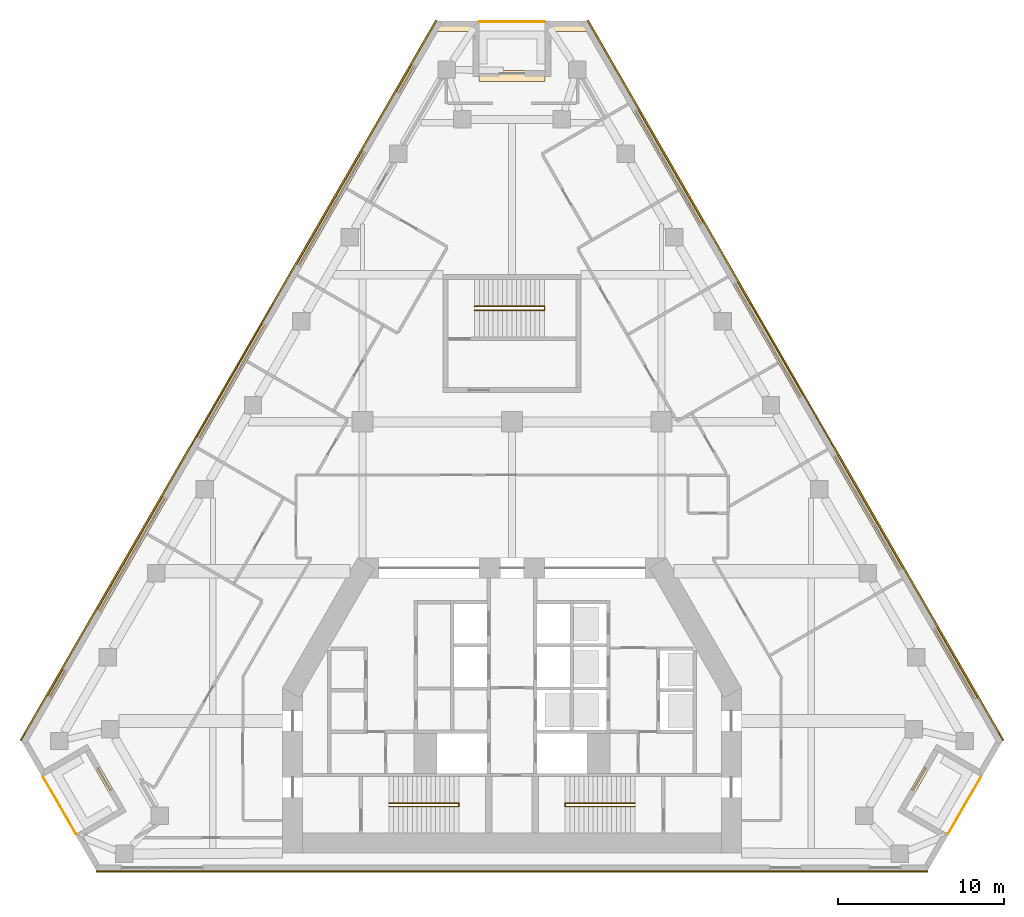
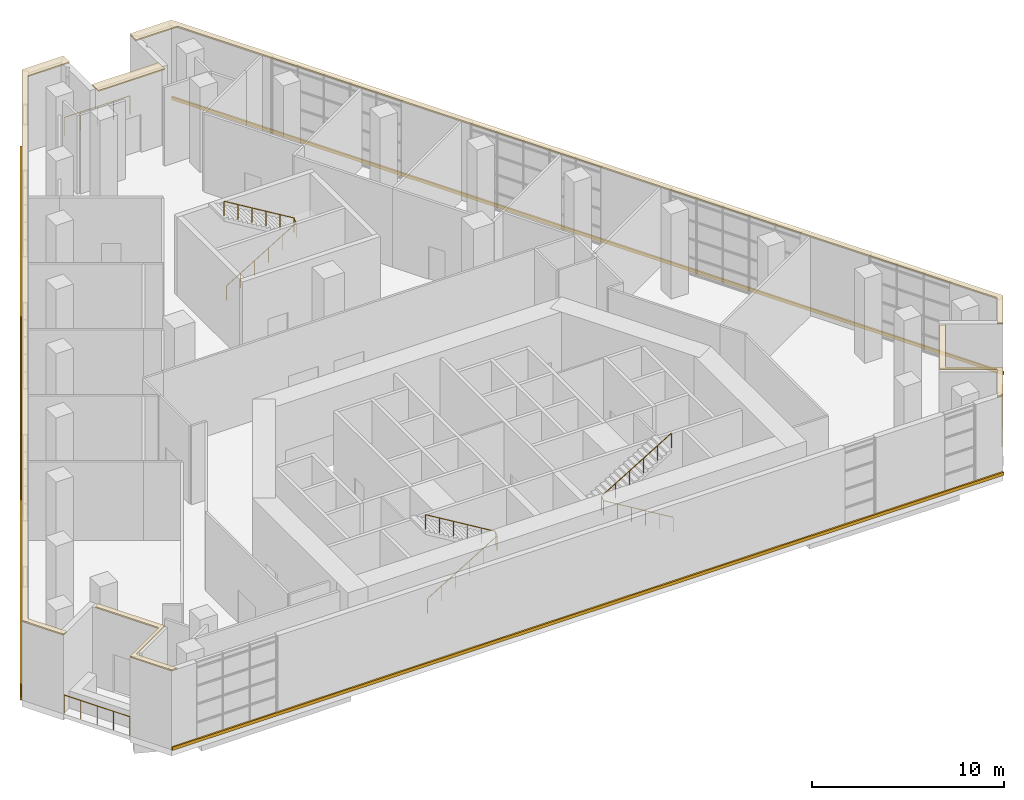
# One storey, part 17 of 18: 8 coverings, 6 railings.
"""IFC4 building model written with IfcOpenShell, lengths in metres."""

from ifc_helpers import new_model, si_unit, direction, frame, origin, origin_2d, place, context, subcontext, project, spatial, polyline, circle, outline, extrude, material, layer, layer_set, type_object, element, save


model = new_model("IFC4")

# Units and contexts
model_context = context("Model", 3, precision=1e-05, world=origin(), true_north=direction((0.0, 1.0)))
body_context = subcontext(model_context, "Body", "Model", "MODEL_VIEW")
ifc_project = project(units=[si_unit("LENGTHUNIT", "METRE"), si_unit("AREAUNIT", "SQUARE_METRE"), si_unit("VOLUMEUNIT", "CUBIC_METRE"), si_unit("PLANEANGLEUNIT", "RADIAN"), si_unit("MASSUNIT", "GRAM", prefix="KILO")], contexts=[model_context])

# Site, building, storey
site_placement = place(None, origin())
site = spatial("IfcSite", under=ifc_project, at=site_placement, CompositionType="ELEMENT")
building_placement = place(site_placement, origin())
building = spatial("IfcBuilding", under=site, at=building_placement, Name="Fogline Exchange Tower", CompositionType="ELEMENT")
storey_placement = place(building_placement, frame((0.0, 0.0, 137.5)))
storey = spatial("IfcBuildingStorey", under=building, at=storey_placement, Name="L30", CompositionType="ELEMENT", Elevation=137.5)

# Coverings
ifc_material_1 = material(Name="Granite", Category="masonry")
ifc_layer = layer(ifc_material_1, 0.080078125)
ifc_layer_set = layer_set([ifc_layer], Name="CP1")
covering_type_1 = type_object("IfcCoveringType", Name="CP1", PredefinedType="USERDEFINED", material=ifc_layer_set)
covering_1_placement = place(storey_placement, frame((0.0, 0.0, 5.0)))
element("IfcCovering", 1, at=covering_1_placement, inside=storey, type_object=covering_type_1, Name="Ledge coping L30", ObjectType="COPING", PredefinedType="USERDEFINED", context=body_context, shape_type="SweptSolid", body=[
    extrude(outline(polyline([(-28.27099609375, 5.629150390625), (-27.99169921875, 5.790283203125), (-29.1484375, 7.794189453125), (-4.5, 50.48681640625), (-2.0, 50.48681640625), (-2.0, 51.131591796875), (-4.5, 51.131591796875), (-29.52099609375, 7.794189453125), (-28.27099609375, 5.629150390625)])), origin(), (0.0, 0.0, 1.0), 0.080078125),
])
covering_2_placement = place(storey_placement, frame((0.0, 0.0, 5.0)))
element("IfcCovering", 2, at=covering_2_placement, inside=storey, type_object=covering_type_1, Name="Ledge coping L30", ObjectType="COPING", PredefinedType="USERDEFINED", context=body_context, shape_type="SweptSolid", body=[
    extrude(outline(polyline([(-25.02099609375, 0.0), (-24.6484375, 0.0), (-25.8984375, 2.1650390625), (-23.30029296875, 3.6650390625), (-25.30029296875, 7.129150390625), (-25.57958984375, 6.968017578125), (-23.6728515625, 3.6650390625), (-26.27099609375, 2.1650390625), (-25.02099609375, 0.0)])), origin(), (0.0, 0.0, 1.0), 0.080078125),
])
covering_3_placement = place(storey_placement, frame((0.0, 0.0, 5.0)))
element("IfcCovering", 3, at=covering_3_placement, inside=storey, type_object=covering_type_1, Name="Ledge coping L30", ObjectType="COPING", PredefinedType="USERDEFINED", context=body_context, shape_type="SweptSolid", body=[
    extrude(outline(polyline([(23.6728515625, 3.6650390625), (25.57958984375, 6.968017578125), (25.30029296875, 7.129150390625), (23.30029296875, 3.6650390625), (25.8984375, 2.1650390625), (24.6484375, 0.0), (25.02099609375, 0.0), (26.27099609375, 2.1650390625), (23.6728515625, 3.6650390625)])), origin(), (0.0, 0.0, 1.0), 0.080078125),
])
covering_4_placement = place(storey_placement, frame((0.0, 0.0, 5.0)))
element("IfcCovering", 4, at=covering_4_placement, inside=storey, type_object=covering_type_1, Name="Ledge coping L30", ObjectType="COPING", PredefinedType="USERDEFINED", context=body_context, shape_type="SweptSolid", body=[
    extrude(outline(polyline([(2.0, 51.131591796875), (2.0, 50.48681640625), (4.5, 50.48681640625), (29.1484375, 7.794189453125), (27.99169921875, 5.790283203125), (28.27099609375, 5.629150390625), (29.52099609375, 7.794189453125), (4.5, 51.131591796875), (2.0, 51.131591796875)])), origin(), (0.0, 0.0, 1.0), 0.080078125),
])
covering_5_placement = place(storey_placement, frame((0.0, 0.0, 5.0)))
element("IfcCovering", 5, at=covering_5_placement, inside=storey, type_object=covering_type_1, Name="Ledge coping L30", ObjectType="COPING", PredefinedType="USERDEFINED", context=body_context, shape_type="SweptSolid", body=[
    extrude(outline(polyline([(2.0, 48.131591796875), (-2.0, 48.131591796875), (-2.0, 47.48681640625), (2.0, 47.48681640625), (2.0, 48.131591796875)])), origin(), (0.0, 0.0, 1.0), 0.080078125),
])

# Railings
ifc_material_2 = material(Name="Stainless steel 304", Category="steel")
railing_type_1 = type_object("IfcRailingType", Name="G1", PredefinedType="GUARDRAIL", material=ifc_material_2)
railing_1_placement = place(storey_placement, frame((-28.217041015625, 5.635986328125, 0.0)))
element("IfcRailing", 6, at=railing_1_placement, inside=storey, type_object=railing_type_1, Name="Balcony guard L30 SW", PredefinedType="GUARDRAIL", context=body_context, shape_type="SweptSolid", body=[
    extrude(circle(Radius=0.02392578125, at=origin_2d()), frame((0.0, 0.0, 1.17578125), z_axis=(0.500000102728, -0.866025344474, 0.0), x_axis=(0.866025344474, 0.500000102728, 0.0)), (0.0, 0.0, 1.0), 3.9580078125),
    extrude(circle(Radius=0.02099609375, at=origin_2d()), origin(), (0.0, 0.0, 1.0), 1.15185546875),
    extrude(circle(Radius=0.02099609375, at=origin_2d()), frame((0.49462890625, -0.85693359375, 0.0)), (0.0, 0.0, 1.0), 1.15185546875),
    extrude(circle(Radius=0.02099609375, at=origin_2d()), frame((0.989501953125, -1.7138671875, 0.0)), (0.0, 0.0, 1.0), 1.15185546875),
    extrude(circle(Radius=0.02099609375, at=origin_2d()), frame((1.484375, -2.57080078125, 0.0)), (0.0, 0.0, 1.0), 1.15185546875),
    extrude(circle(Radius=0.02099609375, at=origin_2d()), frame((1.97900390625, -3.427734375, 0.0)), (0.0, 0.0, 1.0), 1.15185546875),
])
railing_2_placement = place(storey_placement, frame((26.238037109375, 2.208251953125, 0.0)))
element("IfcRailing", 7, at=railing_2_placement, inside=storey, type_object=railing_type_1, Name="Balcony guard L30 SE", PredefinedType="GUARDRAIL", context=body_context, shape_type="SweptSolid", body=[
    extrude(circle(Radius=0.02392578125, at=origin_2d()), frame((0.0, 0.0, 1.17578125), z_axis=(0.500000102728, 0.866025344474, 0.0), x_axis=(-0.866025344474, 0.500000102728, 0.0)), (0.0, 0.0, 1.0), 3.9580078125),
    extrude(circle(Radius=0.02099609375, at=origin_2d()), origin(), (0.0, 0.0, 1.0), 1.15185546875),
    extrude(circle(Radius=0.02099609375, at=origin_2d()), frame((0.49462890625, 0.85693359375, 0.0)), (0.0, 0.0, 1.0), 1.15185546875),
    extrude(circle(Radius=0.02099609375, at=origin_2d()), frame((0.989501953125, 1.7138671875, 0.0)), (0.0, 0.0, 1.0), 1.15185546875),
    extrude(circle(Radius=0.02099609375, at=origin_2d()), frame((1.484375, 2.57080078125, 0.0)), (0.0, 0.0, 1.0), 1.15185546875),
    extrude(circle(Radius=0.02099609375, at=origin_2d()), frame((1.97900390625, 3.427734375, 0.0)), (0.0, 0.0, 1.0), 1.15185546875),
])
railing_3_placement = place(storey_placement, frame((1.97900390625, 51.081787109375, 0.0)))
element("IfcRailing", 8, at=railing_3_placement, inside=storey, type_object=railing_type_1, Name="Balcony guard L30 N", PredefinedType="GUARDRAIL", context=body_context, shape_type="SweptSolid", body=[
    extrude(circle(Radius=0.02392578125, at=origin_2d()), frame((0.0, 0.0, 1.17578125), z_axis=(-1.0, 0.0, 0.0), x_axis=(0.0, -1.0, 0.0)), (0.0, 0.0, 1.0), 3.9580078125),
    extrude(circle(Radius=0.02099609375, at=origin_2d()), origin(), (0.0, 0.0, 1.0), 1.15185546875),
    extrude(circle(Radius=0.02099609375, at=origin_2d()), frame((-0.989501953125, 0.0, 0.0)), (0.0, 0.0, 1.0), 1.15185546875),
    extrude(circle(Radius=0.02099609375, at=origin_2d()), frame((-1.97900390625, 0.0, 0.0)), (0.0, 0.0, 1.0), 1.15185546875),
    extrude(circle(Radius=0.02099609375, at=origin_2d()), frame((-2.968505859375, 0.0, 0.0)), (0.0, 0.0, 1.0), 1.15185546875),
    extrude(circle(Radius=0.02099609375, at=origin_2d()), frame((-3.9580078125, 0.0, 0.0)), (0.0, 0.0, 1.0), 1.15185546875),
])
ifc_material_3 = material(Name="Steel Q235B", Category="steel")
railing_type_2 = type_object("IfcRailingType", Name="RL-HR", PredefinedType="HANDRAIL", material=ifc_material_3)
railing_4_placement = place(storey_placement, frame((-7.39990234375, 3.85009765625, 0.168701171875)))
element("IfcRailing", 9, at=railing_4_placement, inside=storey, type_object=railing_type_2, Name="Handrail ST1", PredefinedType="HANDRAIL", context=body_context, shape_type="SweptSolid", body=[
    extrude(circle(Radius=0.02392578125, at=origin_2d()), frame((0.0, 0.0, 0.92578125), z_axis=(0.856476492594, 0.0, 0.516186030065), x_axis=(0.0, 1.0, 0.0)), (0.0, 0.0, 1.0), 4.90380859375),
    extrude(circle(Radius=0.02392578125, at=origin_2d()), frame((4.199951171875, 0.0, 3.45703125), z_axis=(0.0, 0.764305856904, 0.644853903688), x_axis=(-1.0, 0.0, 0.0)), (0.0, 0.0, 1.0), 0.26171875),
    extrude(circle(Radius=0.02392578125, at=origin_2d()), frame((4.199951171875, 0.199951171875, 3.6259765625), z_axis=(-0.856476492594, 0.0, 0.516186030065), x_axis=(0.0, -1.0, 0.0)), (0.0, 0.0, 1.0), 4.90380859375),
    extrude(circle(Radius=0.02099609375, at=origin_2d()), origin(), (0.0, 0.0, 1.0), 0.90185546875),
    extrude(circle(Radius=0.02099609375, at=origin_2d()), frame((0.840087890625, 0.0, 0.50634765625)), (0.0, 0.0, 1.0), 0.90185546875),
    extrude(circle(Radius=0.02099609375, at=origin_2d()), frame((1.679931640625, 0.0, 1.012451171875)), (0.0, 0.0, 1.0), 0.90185546875),
    extrude(circle(Radius=0.02099609375, at=origin_2d()), frame((2.52001953125, 0.0, 1.518798828125)), (0.0, 0.0, 1.0), 0.90185546875),
    extrude(circle(Radius=0.02099609375, at=origin_2d()), frame((3.35986328125, 0.0, 2.02490234375)), (0.0, 0.0, 1.0), 0.90185546875),
    extrude(circle(Radius=0.02099609375, at=origin_2d()), frame((4.199951171875, 0.0, 2.53125)), (0.0, 0.0, 1.0), 0.90185546875),
    extrude(circle(Radius=0.02099609375, at=origin_2d()), frame((4.199951171875, 0.199951171875, 2.699951171875)), (0.0, 0.0, 1.0), 0.90185546875),
    extrude(circle(Radius=0.02099609375, at=origin_2d()), frame((3.35986328125, 0.199951171875, 3.206298828125)), (0.0, 0.0, 1.0), 0.90185546875),
    extrude(circle(Radius=0.02099609375, at=origin_2d()), frame((2.52001953125, 0.199951171875, 3.71240234375)), (0.0, 0.0, 1.0), 0.90185546875),
    extrude(circle(Radius=0.02099609375, at=origin_2d()), frame((1.679931640625, 0.199951171875, 4.21875)), (0.0, 0.0, 1.0), 0.90185546875),
    extrude(circle(Radius=0.02099609375, at=origin_2d()), frame((0.840087890625, 0.199951171875, 4.724853515625)), (0.0, 0.0, 1.0), 0.90185546875),
    extrude(circle(Radius=0.02099609375, at=origin_2d()), frame((0.0, 0.199951171875, 5.231201171875)), (0.0, 0.0, 1.0), 0.90185546875),
])
railing_5_placement = place(storey_placement, frame((7.39990234375, 3.85009765625, 0.168701171875)))
element("IfcRailing", 10, at=railing_5_placement, inside=storey, type_object=railing_type_2, Name="Handrail ST2", PredefinedType="HANDRAIL", context=body_context, shape_type="SweptSolid", body=[
    extrude(circle(Radius=0.02392578125, at=origin_2d()), frame((0.0, 0.0, 0.92578125), z_axis=(-0.856476492594, 0.0, 0.516186030065), x_axis=(0.0, -1.0, 0.0)), (0.0, 0.0, 1.0), 4.90380859375),
    extrude(circle(Radius=0.02392578125, at=origin_2d()), frame((-4.199951171875, 0.0, 3.45703125), z_axis=(0.0, 0.764305856904, 0.644853903688), x_axis=(-1.0, 0.0, 0.0)), (0.0, 0.0, 1.0), 0.26171875),
    extrude(circle(Radius=0.02392578125, at=origin_2d()), frame((-4.199951171875, 0.199951171875, 3.6259765625), z_axis=(0.856476492594, 0.0, 0.516186030065), x_axis=(0.0, 1.0, 0.0)), (0.0, 0.0, 1.0), 4.90380859375),
    extrude(circle(Radius=0.02099609375, at=origin_2d()), origin(), (0.0, 0.0, 1.0), 0.90185546875),
    extrude(circle(Radius=0.02099609375, at=origin_2d()), frame((-0.840087890625, 0.0, 0.50634765625)), (0.0, 0.0, 1.0), 0.90185546875),
    extrude(circle(Radius=0.02099609375, at=origin_2d()), frame((-1.679931640625, 0.0, 1.012451171875)), (0.0, 0.0, 1.0), 0.90185546875),
    extrude(circle(Radius=0.02099609375, at=origin_2d()), frame((-2.52001953125, 0.0, 1.518798828125)), (0.0, 0.0, 1.0), 0.90185546875),
    extrude(circle(Radius=0.02099609375, at=origin_2d()), frame((-3.35986328125, 0.0, 2.02490234375)), (0.0, 0.0, 1.0), 0.90185546875),
    extrude(circle(Radius=0.02099609375, at=origin_2d()), frame((-4.199951171875, 0.0, 2.53125)), (0.0, 0.0, 1.0), 0.90185546875),
    extrude(circle(Radius=0.02099609375, at=origin_2d()), frame((-4.199951171875, 0.199951171875, 2.699951171875)), (0.0, 0.0, 1.0), 0.90185546875),
    extrude(circle(Radius=0.02099609375, at=origin_2d()), frame((-3.35986328125, 0.199951171875, 3.206298828125)), (0.0, 0.0, 1.0), 0.90185546875),
    extrude(circle(Radius=0.02099609375, at=origin_2d()), frame((-2.52001953125, 0.199951171875, 3.71240234375)), (0.0, 0.0, 1.0), 0.90185546875),
    extrude(circle(Radius=0.02099609375, at=origin_2d()), frame((-1.679931640625, 0.199951171875, 4.21875)), (0.0, 0.0, 1.0), 0.90185546875),
    extrude(circle(Radius=0.02099609375, at=origin_2d()), frame((-0.840087890625, 0.199951171875, 4.724853515625)), (0.0, 0.0, 1.0), 0.90185546875),
    extrude(circle(Radius=0.02099609375, at=origin_2d()), frame((0.0, 0.199951171875, 5.231201171875)), (0.0, 0.0, 1.0), 0.90185546875),
])
railing_6_placement = place(storey_placement, frame((-2.25, 33.70703125, 0.168701171875)))
element("IfcRailing", 11, at=railing_6_placement, inside=storey, type_object=railing_type_2, Name="Handrail ST3", PredefinedType="HANDRAIL", context=body_context, shape_type="SweptSolid", body=[
    extrude(circle(Radius=0.02392578125, at=origin_2d()), frame((0.0, 0.0, 0.92578125), z_axis=(0.856476492594, 0.0, 0.516186030065), x_axis=(0.0, 1.0, 0.0)), (0.0, 0.0, 1.0), 4.90380859375),
    extrude(circle(Radius=0.02392578125, at=origin_2d()), frame((4.199951171875, 0.0, 3.45703125), z_axis=(0.0, 0.828923742226, 0.559361626834), x_axis=(-1.0, 0.0, 0.0)), (0.0, 0.0, 1.0), 0.301513671875),
    extrude(circle(Radius=0.02392578125, at=origin_2d()), frame((4.199951171875, 0.25, 3.6259765625), z_axis=(-0.856476492594, 0.0, 0.516186030065), x_axis=(0.0, -1.0, 0.0)), (0.0, 0.0, 1.0), 4.90380859375),
    extrude(circle(Radius=0.02099609375, at=origin_2d()), origin(), (0.0, 0.0, 1.0), 0.90185546875),
    extrude(circle(Radius=0.02099609375, at=origin_2d()), frame((0.840087890625, 0.0, 0.50634765625)), (0.0, 0.0, 1.0), 0.90185546875),
    extrude(circle(Radius=0.02099609375, at=origin_2d()), frame((1.679931640625, 0.0, 1.012451171875)), (0.0, 0.0, 1.0), 0.90185546875),
    extrude(circle(Radius=0.02099609375, at=origin_2d()), frame((2.52001953125, 0.0, 1.518798828125)), (0.0, 0.0, 1.0), 0.90185546875),
    extrude(circle(Radius=0.02099609375, at=origin_2d()), frame((3.35986328125, 0.0, 2.02490234375)), (0.0, 0.0, 1.0), 0.90185546875),
    extrude(circle(Radius=0.02099609375, at=origin_2d()), frame((4.199951171875, 0.0, 2.53125)), (0.0, 0.0, 1.0), 0.90185546875),
    extrude(circle(Radius=0.02099609375, at=origin_2d()), frame((4.199951171875, 0.25, 2.699951171875)), (0.0, 0.0, 1.0), 0.90185546875),
    extrude(circle(Radius=0.02099609375, at=origin_2d()), frame((3.35986328125, 0.25, 3.206298828125)), (0.0, 0.0, 1.0), 0.90185546875),
    extrude(circle(Radius=0.02099609375, at=origin_2d()), frame((2.52001953125, 0.25, 3.71240234375)), (0.0, 0.0, 1.0), 0.90185546875),
    extrude(circle(Radius=0.02099609375, at=origin_2d()), frame((1.679931640625, 0.25, 4.21875)), (0.0, 0.0, 1.0), 0.90185546875),
    extrude(circle(Radius=0.02099609375, at=origin_2d()), frame((0.840087890625, 0.25, 4.724853515625)), (0.0, 0.0, 1.0), 0.90185546875),
    extrude(circle(Radius=0.02099609375, at=origin_2d()), frame((0.0, 0.25, 5.231201171875)), (0.0, 0.0, 1.0), 0.90185546875),
])

# Coverings
ifc_material_4 = material(Name="Brick masonry", Category="masonry")
covering_type_2 = type_object("IfcCoveringType", Name="SB1", PredefinedType="CLADDING", material=ifc_material_4)
covering_6_placement = place(storey_placement, origin())
element("IfcCovering", 12, at=covering_6_placement, inside=storey, type_object=covering_type_2, Name="Stringcourse band L30 S", PredefinedType="CLADDING", context=body_context, shape_type="SweptSolid", body=[
    extrude(outline(polyline([(-25.02099609375, 0.0), (-25.02099609375, -0.10009765625), (25.02099609375, -0.10009765625), (25.02099609375, 0.0), (-25.02099609375, 0.0)])), origin(), (0.0, 0.0, 1.0), 0.199951171875),
])
covering_7_placement = place(storey_placement, origin())
element("IfcCovering", 13, at=covering_7_placement, inside=storey, type_object=covering_type_2, Name="Stringcourse band L30 E", PredefinedType="CLADDING", context=body_context, shape_type="SweptSolid", body=[
    extrude(outline(polyline([(29.52099609375, 7.794189453125), (29.607421875, 7.84423828125), (4.586669921875, 51.181640625), (4.5, 51.131591796875), (29.52099609375, 7.794189453125)])), origin(), (0.0, 0.0, 1.0), 0.199951171875),
])
covering_8_placement = place(storey_placement, origin())
element("IfcCovering", 14, at=covering_8_placement, inside=storey, type_object=covering_type_2, Name="Stringcourse band L30 W", PredefinedType="CLADDING", context=body_context, shape_type="SweptSolid", body=[
    extrude(outline(polyline([(-4.5, 51.131591796875), (-4.586669921875, 51.181640625), (-29.607421875, 7.84423828125), (-29.52099609375, 7.794189453125), (-4.5, 51.131591796875)])), origin(), (0.0, 0.0, 1.0), 0.199951171875),
])

save(model, "model.ifc")
